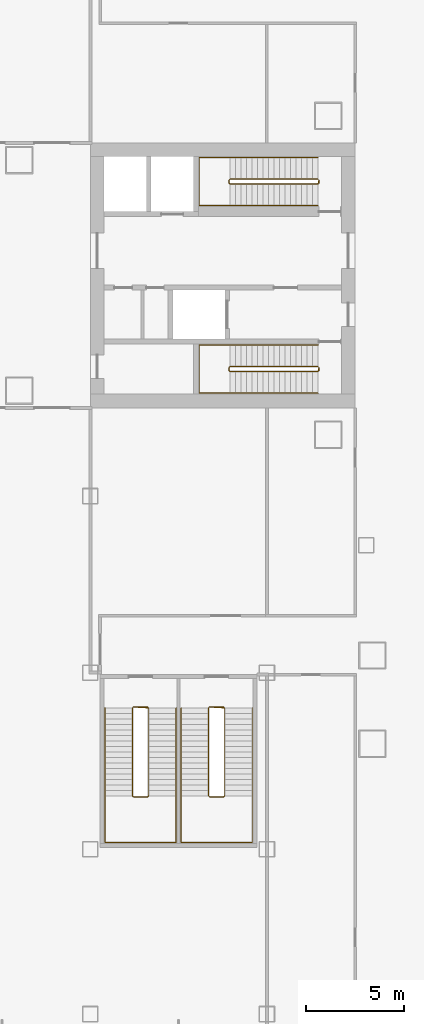
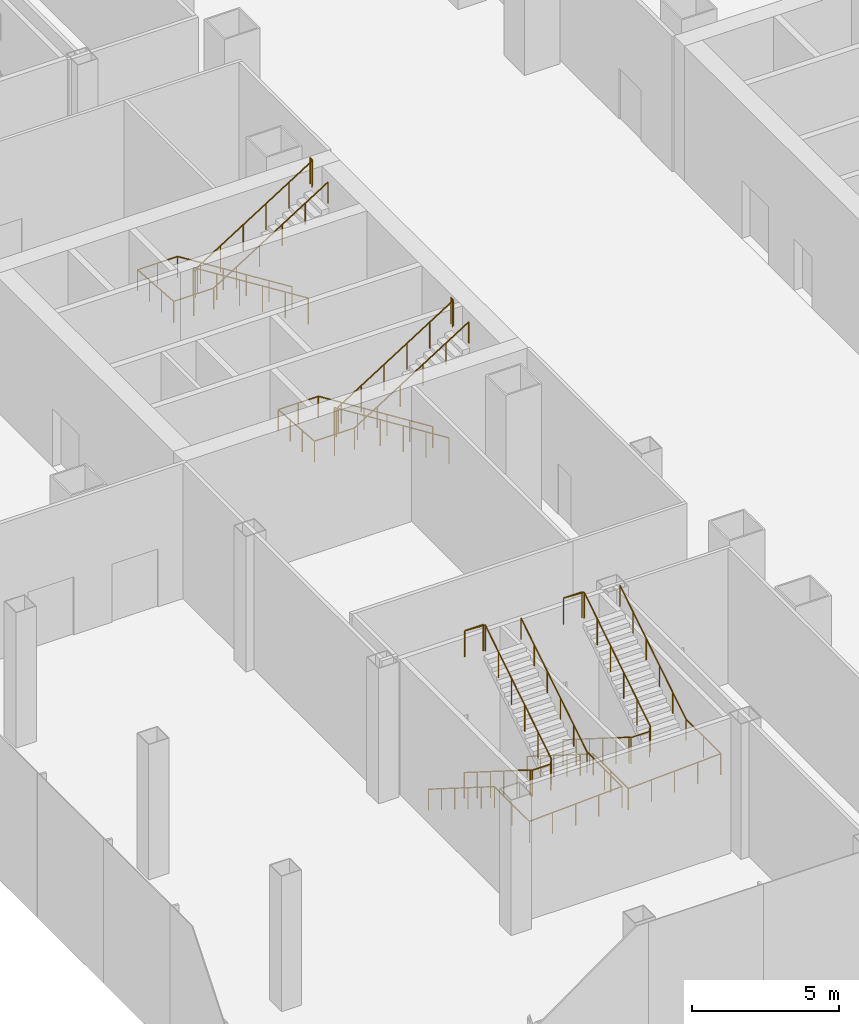
# One storey, part 29 of 33: 8 railings.
"""IFC4 building model written with IfcOpenShell, lengths in metres."""

from ifc_helpers import new_model, si_unit, direction, frame, origin, origin_2d, place, context, subcontext, project, spatial, circle, extrude, material, type_object, element, save


model = new_model("IFC4")

# Units and contexts
model_context = context("Model", 3, precision=1e-05, world=origin(), true_north=direction((0.0, 1.0)))
body_context = subcontext(model_context, "Body", "Model", "MODEL_VIEW")
ifc_project = project(units=[si_unit("LENGTHUNIT", "METRE"), si_unit("AREAUNIT", "SQUARE_METRE"), si_unit("VOLUMEUNIT", "CUBIC_METRE"), si_unit("PLANEANGLEUNIT", "RADIAN"), si_unit("MASSUNIT", "GRAM", prefix="KILO")], contexts=[model_context])

# Site, building, storey
site_placement = place(None, origin())
site = spatial("IfcSite", under=ifc_project, at=site_placement, CompositionType="ELEMENT")
building_placement = place(site_placement, origin())
building = spatial("IfcBuilding", under=site, at=building_placement, Name="Shamsa Quay Exchange Towers", CompositionType="ELEMENT")
storey_placement = place(building_placement, frame((0.0, 0.0, 6.5)))
storey = spatial("IfcBuildingStorey", under=building, at=storey_placement, Name="L01", CompositionType="ELEMENT", Elevation=6.5)

# Railings
ifc_material = material(Name="Stainless steel", Category="steel")
railing_type_1 = type_object("IfcRailingType", Name="STAIR GUARD 1100", PredefinedType="GUARDRAIL", material=ifc_material)
railing_1_placement = place(storey_placement, frame((-42.39990234375, -4.64990234375, 0.176513671875)))
element("IfcRailing", 1, at=railing_1_placement, inside=storey, type_object=railing_type_1, Name="L01 ST2 stair guard 1", PredefinedType="GUARDRAIL", context=body_context, shape_type="SweptSolid", body=[
    extrude(circle(Radius=0.02392578125, at=origin_2d()), frame((0.0, 0.0, 1.076171875), z_axis=(-0.845997938375, 0.0, 0.533186166611), x_axis=(0.0, -1.0, 0.0)), (0.0, 0.0, 1.0), 5.29541015625),
    extrude(circle(Radius=0.02392578125, at=origin_2d()), frame((-4.47998046875, 0.0, 3.8994140625), z_axis=(-0.707106781187, -0.707106781187, 0.0), x_axis=(0.707106781187, -0.707106781187, 0.0)), (0.0, 0.0, 1.0), 0.07080078125),
    extrude(circle(Radius=0.02392578125, at=origin_2d()), frame((-4.530029296875, -0.050048828125, 3.8994140625), z_axis=(0.0, -1.0, 0.0), x_axis=(1.0, 0.0, 0.0)), (0.0, 0.0, 1.0), 0.150146484375),
    extrude(circle(Radius=0.02392578125, at=origin_2d()), frame((-4.530029296875, -0.2001953125, 3.8994140625), z_axis=(0.263260079301, -0.261975883792, 0.928473352853), x_axis=(0.705375805398, 0.708833529934, 0.0)), (0.0, 0.0, 1.0), 0.190185546875),
    extrude(circle(Radius=0.02392578125, at=origin_2d()), frame((-4.47998046875, -0.25, 4.076171875), z_axis=(0.845997938375, 0.0, 0.533186166611), x_axis=(0.0, 1.0, 0.0)), (0.0, 0.0, 1.0), 5.29541015625),
    extrude(circle(Radius=0.02392578125, at=origin_2d()), frame((0.0, -0.25, 6.8994140625), z_axis=(0.241699205484, 0.970351222016, 0.0), x_axis=(-0.970351222016, 0.241699205484, 0.0)), (0.0, 0.0, 1.0), 0.2060546875),
    extrude(circle(Radius=0.02392578125, at=origin_2d()), frame((0.0498046875, -0.050048828125, 6.8994140625), z_axis=(0.0, -1.0, 0.0), x_axis=(1.0, 0.0, 0.0)), (0.0, 0.0, 1.0), 0.150146484375),
    extrude(circle(Radius=0.02099609375, at=origin_2d()), origin(), (0.0, 0.0, 1.0), 1.052001953125),
    extrude(circle(Radius=0.02099609375, at=origin_2d()), frame((-0.89599609375, 0.0, 0.564697265625)), (0.0, 0.0, 1.0), 1.052001953125),
    extrude(circle(Radius=0.02099609375, at=origin_2d()), frame((-1.7919921875, 0.0, 1.12939453125)), (0.0, 0.0, 1.0), 1.052001953125),
    extrude(circle(Radius=0.02099609375, at=origin_2d()), frame((-2.68798828125, 0.0, 1.694091796875)), (0.0, 0.0, 1.0), 1.052001953125),
    extrude(circle(Radius=0.02099609375, at=origin_2d()), frame((-3.583984375, 0.0, 2.2587890625)), (0.0, 0.0, 1.0), 1.052001953125),
    extrude(circle(Radius=0.02099609375, at=origin_2d()), frame((-4.47998046875, 0.0, 2.823486328125)), (0.0, 0.0, 1.0), 1.052001953125),
    extrude(circle(Radius=0.02099609375, at=origin_2d()), frame((-4.530029296875, -0.050048828125, 2.823486328125)), (0.0, 0.0, 1.0), 1.052001953125),
    extrude(circle(Radius=0.02099609375, at=origin_2d()), frame((-4.530029296875, -0.2001953125, 2.823486328125)), (0.0, 0.0, 1.0), 1.052001953125),
    extrude(circle(Radius=0.02099609375, at=origin_2d()), frame((-4.47998046875, -0.25, 3.0)), (0.0, 0.0, 1.0), 1.052001953125),
    extrude(circle(Radius=0.02099609375, at=origin_2d()), frame((-3.583984375, -0.25, 3.564697265625)), (0.0, 0.0, 1.0), 1.052001953125),
    extrude(circle(Radius=0.02099609375, at=origin_2d()), frame((-2.68798828125, -0.25, 4.12939453125)), (0.0, 0.0, 1.0), 1.052001953125),
    extrude(circle(Radius=0.02099609375, at=origin_2d()), frame((-1.7919921875, -0.25, 4.694091796875)), (0.0, 0.0, 1.0), 1.052001953125),
    extrude(circle(Radius=0.02099609375, at=origin_2d()), frame((-0.89599609375, -0.25, 5.2587890625)), (0.0, 0.0, 1.0), 1.052001953125),
    extrude(circle(Radius=0.02099609375, at=origin_2d()), frame((0.0, -0.25, 5.823486328125)), (0.0, 0.0, 1.0), 1.052001953125),
    extrude(circle(Radius=0.02099609375, at=origin_2d()), frame((0.0498046875, -0.050048828125, 5.823486328125)), (0.0, 0.0, 1.0), 1.052001953125),
    extrude(circle(Radius=0.02099609375, at=origin_2d()), frame((0.0498046875, -0.2001953125, 5.823486328125)), (0.0, 0.0, 1.0), 1.052001953125),
])
railing_2_placement = place(storey_placement, frame((-42.39990234375, 4.89990234375, 0.176513671875)))
element("IfcRailing", 2, at=railing_2_placement, inside=storey, type_object=railing_type_1, Name="L01 ST3 stair guard 1", PredefinedType="GUARDRAIL", context=body_context, shape_type="SweptSolid", body=[
    extrude(circle(Radius=0.02392578125, at=origin_2d()), frame((0.0, 0.0, 1.076171875), z_axis=(-0.845997938375, 0.0, 0.533186166611), x_axis=(0.0, -1.0, 0.0)), (0.0, 0.0, 1.0), 5.29541015625),
    extrude(circle(Radius=0.02392578125, at=origin_2d()), frame((-4.47998046875, 0.0, 3.8994140625), z_axis=(-0.708833529934, -0.705375805398, 0.0), x_axis=(0.705375805398, -0.708833529934, 0.0)), (0.0, 0.0, 1.0), 0.070556640625),
    extrude(circle(Radius=0.02392578125, at=origin_2d()), frame((-4.530029296875, -0.0498046875, 3.8994140625), z_axis=(0.0, -1.0, 0.0), x_axis=(1.0, 0.0, 0.0)), (0.0, 0.0, 1.0), 0.150146484375),
    extrude(circle(Radius=0.02392578125, at=origin_2d()), frame((-4.530029296875, -0.199951171875, 3.8994140625), z_axis=(0.263171338983, -0.263171338983, 0.928160380902), x_axis=(0.707106781187, 0.707106781187, 0.0)), (0.0, 0.0, 1.0), 0.190185546875),
    extrude(circle(Radius=0.02392578125, at=origin_2d()), frame((-4.47998046875, -0.25, 4.076171875), z_axis=(0.845997938375, 0.0, 0.533186166611), x_axis=(0.0, 1.0, 0.0)), (0.0, 0.0, 1.0), 5.29541015625),
    extrude(circle(Radius=0.02392578125, at=origin_2d()), frame((0.0, -0.25, 6.8994140625), z_axis=(0.24142163986, 0.970420317083, 0.0), x_axis=(-0.970420317083, 0.24142163986, 0.0)), (0.0, 0.0, 1.0), 0.206298828125),
    extrude(circle(Radius=0.02392578125, at=origin_2d()), frame((0.0498046875, -0.0498046875, 6.8994140625), z_axis=(0.0, -1.0, 0.0), x_axis=(1.0, 0.0, 0.0)), (0.0, 0.0, 1.0), 0.150146484375),
    extrude(circle(Radius=0.02099609375, at=origin_2d()), origin(), (0.0, 0.0, 1.0), 1.052001953125),
    extrude(circle(Radius=0.02099609375, at=origin_2d()), frame((-0.89599609375, 0.0, 0.564697265625)), (0.0, 0.0, 1.0), 1.052001953125),
    extrude(circle(Radius=0.02099609375, at=origin_2d()), frame((-1.7919921875, 0.0, 1.12939453125)), (0.0, 0.0, 1.0), 1.052001953125),
    extrude(circle(Radius=0.02099609375, at=origin_2d()), frame((-2.68798828125, 0.0, 1.694091796875)), (0.0, 0.0, 1.0), 1.052001953125),
    extrude(circle(Radius=0.02099609375, at=origin_2d()), frame((-3.583984375, 0.0, 2.2587890625)), (0.0, 0.0, 1.0), 1.052001953125),
    extrude(circle(Radius=0.02099609375, at=origin_2d()), frame((-4.47998046875, 0.0, 2.823486328125)), (0.0, 0.0, 1.0), 1.052001953125),
    extrude(circle(Radius=0.02099609375, at=origin_2d()), frame((-4.530029296875, -0.0498046875, 2.823486328125)), (0.0, 0.0, 1.0), 1.052001953125),
    extrude(circle(Radius=0.02099609375, at=origin_2d()), frame((-4.530029296875, -0.199951171875, 2.823486328125)), (0.0, 0.0, 1.0), 1.052001953125),
    extrude(circle(Radius=0.02099609375, at=origin_2d()), frame((-4.47998046875, -0.25, 3.0)), (0.0, 0.0, 1.0), 1.052001953125),
    extrude(circle(Radius=0.02099609375, at=origin_2d()), frame((-3.583984375, -0.25, 3.564697265625)), (0.0, 0.0, 1.0), 1.052001953125),
    extrude(circle(Radius=0.02099609375, at=origin_2d()), frame((-2.68798828125, -0.25, 4.12939453125)), (0.0, 0.0, 1.0), 1.052001953125),
    extrude(circle(Radius=0.02099609375, at=origin_2d()), frame((-1.7919921875, -0.25, 4.694091796875)), (0.0, 0.0, 1.0), 1.052001953125),
    extrude(circle(Radius=0.02099609375, at=origin_2d()), frame((-0.89599609375, -0.25, 5.2587890625)), (0.0, 0.0, 1.0), 1.052001953125),
    extrude(circle(Radius=0.02099609375, at=origin_2d()), frame((0.0, -0.25, 5.823486328125)), (0.0, 0.0, 1.0), 1.052001953125),
    extrude(circle(Radius=0.02099609375, at=origin_2d()), frame((0.0498046875, -0.0498046875, 5.823486328125)), (0.0, 0.0, 1.0), 1.052001953125),
    extrude(circle(Radius=0.02099609375, at=origin_2d()), frame((0.0498046875, -0.199951171875, 5.823486328125)), (0.0, 0.0, 1.0), 1.052001953125),
])
railing_3_placement = place(storey_placement, frame((-51.85009765625, -22.050048828125, 0.176513671875)))
element("IfcRailing", 3, at=railing_3_placement, inside=storey, type_object=railing_type_1, Name="L01 PS5A stair guard 1", PredefinedType="GUARDRAIL", context=body_context, shape_type="SweptSolid", body=[
    extrude(circle(Radius=0.02392578125, at=origin_2d()), frame((0.0, 0.0, 1.076171875), z_axis=(0.0, -0.845997938375, 0.533186166611), x_axis=(1.0, 0.0, 0.0)), (0.0, 0.0, 1.0), 5.29541015625),
    extrude(circle(Radius=0.02392578125, at=origin_2d()), frame((0.0, -4.47998046875, 3.8994140625), z_axis=(0.707106781187, -0.707106781187, 0.0), x_axis=(0.707106781187, 0.707106781187, 0.0)), (0.0, 0.0, 1.0), 0.07080078125),
    extrude(circle(Radius=0.02392578125, at=origin_2d()), frame((0.050048828125, -4.530029296875, 3.8994140625), z_axis=(1.0, 0.0, 0.0), x_axis=(0.0, 1.0, 0.0)), (0.0, 0.0, 1.0), 0.72509765625),
    extrude(circle(Radius=0.02392578125, at=origin_2d()), frame((0.775146484375, -4.530029296875, 3.8994140625), z_axis=(0.263171338983, 0.263171338983, 0.928160380902), x_axis=(-0.707106781187, 0.707106781187, 0.0)), (0.0, 0.0, 1.0), 0.190185546875),
    extrude(circle(Radius=0.02392578125, at=origin_2d()), frame((0.8251953125, -4.47998046875, 4.076171875), z_axis=(0.0, 0.845997938375, 0.533186166611), x_axis=(-1.0, 0.0, 0.0)), (0.0, 0.0, 1.0), 5.29541015625),
    extrude(circle(Radius=0.02392578125, at=origin_2d()), frame((0.8251953125, 0.0, 6.8994140625), z_axis=(-0.997922050633, 0.064432762324, 0.0), x_axis=(-0.064432762324, -0.997922050633, 0.0)), (0.0, 0.0, 1.0), 0.77685546875),
    extrude(circle(Radius=0.02392578125, at=origin_2d()), frame((0.050048828125, 0.050048828125, 6.8994140625), z_axis=(1.0, 0.0, 0.0), x_axis=(0.0, 1.0, 0.0)), (0.0, 0.0, 1.0), 0.72509765625),
    extrude(circle(Radius=0.02099609375, at=origin_2d()), origin(), (0.0, 0.0, 1.0), 1.052001953125),
    extrude(circle(Radius=0.02099609375, at=origin_2d()), frame((0.0, -0.89599609375, 0.564697265625)), (0.0, 0.0, 1.0), 1.052001953125),
    extrude(circle(Radius=0.02099609375, at=origin_2d()), frame((0.0, -1.7919921875, 1.12939453125)), (0.0, 0.0, 1.0), 1.052001953125),
    extrude(circle(Radius=0.02099609375, at=origin_2d()), frame((0.0, -2.68798828125, 1.694091796875)), (0.0, 0.0, 1.0), 1.052001953125),
    extrude(circle(Radius=0.02099609375, at=origin_2d()), frame((0.0, -3.583984375, 2.2587890625)), (0.0, 0.0, 1.0), 1.052001953125),
    extrude(circle(Radius=0.02099609375, at=origin_2d()), frame((0.0, -4.47998046875, 2.823486328125)), (0.0, 0.0, 1.0), 1.052001953125),
    extrude(circle(Radius=0.02099609375, at=origin_2d()), frame((0.050048828125, -4.530029296875, 2.823486328125)), (0.0, 0.0, 1.0), 1.052001953125),
    extrude(circle(Radius=0.02099609375, at=origin_2d()), frame((0.775146484375, -4.530029296875, 2.823486328125)), (0.0, 0.0, 1.0), 1.052001953125),
    extrude(circle(Radius=0.02099609375, at=origin_2d()), frame((0.8251953125, -4.47998046875, 3.0)), (0.0, 0.0, 1.0), 1.052001953125),
    extrude(circle(Radius=0.02099609375, at=origin_2d()), frame((0.8251953125, -3.583984375, 3.564697265625)), (0.0, 0.0, 1.0), 1.052001953125),
    extrude(circle(Radius=0.02099609375, at=origin_2d()), frame((0.8251953125, -2.68798828125, 4.12939453125)), (0.0, 0.0, 1.0), 1.052001953125),
    extrude(circle(Radius=0.02099609375, at=origin_2d()), frame((0.8251953125, -1.7919921875, 4.694091796875)), (0.0, 0.0, 1.0), 1.052001953125),
    extrude(circle(Radius=0.02099609375, at=origin_2d()), frame((0.8251953125, -0.89599609375, 5.2587890625)), (0.0, 0.0, 1.0), 1.052001953125),
    extrude(circle(Radius=0.02099609375, at=origin_2d()), frame((0.8251953125, 0.0, 5.823486328125)), (0.0, 0.0, 1.0), 1.052001953125),
    extrude(circle(Radius=0.02099609375, at=origin_2d()), frame((0.050048828125, 0.050048828125, 5.823486328125)), (0.0, 0.0, 1.0), 1.052001953125),
    extrude(circle(Radius=0.02099609375, at=origin_2d()), frame((0.775146484375, 0.050048828125, 5.823486328125)), (0.0, 0.0, 1.0), 1.052001953125),
])
railing_4_placement = place(storey_placement, frame((-47.97509765625, -22.050048828125, 0.176513671875)))
element("IfcRailing", 4, at=railing_4_placement, inside=storey, type_object=railing_type_1, Name="L01 PS5B stair guard 1", PredefinedType="GUARDRAIL", context=body_context, shape_type="SweptSolid", body=[
    extrude(circle(Radius=0.02392578125, at=origin_2d()), frame((0.0, 0.0, 1.076171875), z_axis=(0.0, -0.845997938375, 0.533186166611), x_axis=(1.0, 0.0, 0.0)), (0.0, 0.0, 1.0), 5.29541015625),
    extrude(circle(Radius=0.02392578125, at=origin_2d()), frame((0.0, -4.47998046875, 3.8994140625), z_axis=(0.707106781187, -0.707106781187, 0.0), x_axis=(0.707106781187, 0.707106781187, 0.0)), (0.0, 0.0, 1.0), 0.07080078125),
    extrude(circle(Radius=0.02392578125, at=origin_2d()), frame((0.050048828125, -4.530029296875, 3.8994140625), z_axis=(1.0, 0.0, 0.0), x_axis=(0.0, 1.0, 0.0)), (0.0, 0.0, 1.0), 0.72509765625),
    extrude(circle(Radius=0.02392578125, at=origin_2d()), frame((0.775146484375, -4.530029296875, 3.8994140625), z_axis=(0.263171338983, 0.263171338983, 0.928160380902), x_axis=(-0.707106781187, 0.707106781187, 0.0)), (0.0, 0.0, 1.0), 0.190185546875),
    extrude(circle(Radius=0.02392578125, at=origin_2d()), frame((0.8251953125, -4.47998046875, 4.076171875), z_axis=(0.0, 0.845997938375, 0.533186166611), x_axis=(-1.0, 0.0, 0.0)), (0.0, 0.0, 1.0), 5.29541015625),
    extrude(circle(Radius=0.02392578125, at=origin_2d()), frame((0.8251953125, 0.0, 6.8994140625), z_axis=(-0.997922050633, 0.064432762324, 0.0), x_axis=(-0.064432762324, -0.997922050633, 0.0)), (0.0, 0.0, 1.0), 0.77685546875),
    extrude(circle(Radius=0.02392578125, at=origin_2d()), frame((0.050048828125, 0.050048828125, 6.8994140625), z_axis=(1.0, 0.0, 0.0), x_axis=(0.0, 1.0, 0.0)), (0.0, 0.0, 1.0), 0.72509765625),
    extrude(circle(Radius=0.02099609375, at=origin_2d()), origin(), (0.0, 0.0, 1.0), 1.052001953125),
    extrude(circle(Radius=0.02099609375, at=origin_2d()), frame((0.0, -0.89599609375, 0.564697265625)), (0.0, 0.0, 1.0), 1.052001953125),
    extrude(circle(Radius=0.02099609375, at=origin_2d()), frame((0.0, -1.7919921875, 1.12939453125)), (0.0, 0.0, 1.0), 1.052001953125),
    extrude(circle(Radius=0.02099609375, at=origin_2d()), frame((0.0, -2.68798828125, 1.694091796875)), (0.0, 0.0, 1.0), 1.052001953125),
    extrude(circle(Radius=0.02099609375, at=origin_2d()), frame((0.0, -3.583984375, 2.2587890625)), (0.0, 0.0, 1.0), 1.052001953125),
    extrude(circle(Radius=0.02099609375, at=origin_2d()), frame((0.0, -4.47998046875, 2.823486328125)), (0.0, 0.0, 1.0), 1.052001953125),
    extrude(circle(Radius=0.02099609375, at=origin_2d()), frame((0.050048828125, -4.530029296875, 2.823486328125)), (0.0, 0.0, 1.0), 1.052001953125),
    extrude(circle(Radius=0.02099609375, at=origin_2d()), frame((0.775146484375, -4.530029296875, 2.823486328125)), (0.0, 0.0, 1.0), 1.052001953125),
    extrude(circle(Radius=0.02099609375, at=origin_2d()), frame((0.8251953125, -4.47998046875, 3.0)), (0.0, 0.0, 1.0), 1.052001953125),
    extrude(circle(Radius=0.02099609375, at=origin_2d()), frame((0.8251953125, -3.583984375, 3.564697265625)), (0.0, 0.0, 1.0), 1.052001953125),
    extrude(circle(Radius=0.02099609375, at=origin_2d()), frame((0.8251953125, -2.68798828125, 4.12939453125)), (0.0, 0.0, 1.0), 1.052001953125),
    extrude(circle(Radius=0.02099609375, at=origin_2d()), frame((0.8251953125, -1.7919921875, 4.694091796875)), (0.0, 0.0, 1.0), 1.052001953125),
    extrude(circle(Radius=0.02099609375, at=origin_2d()), frame((0.8251953125, -0.89599609375, 5.2587890625)), (0.0, 0.0, 1.0), 1.052001953125),
    extrude(circle(Radius=0.02099609375, at=origin_2d()), frame((0.8251953125, 0.0, 5.823486328125)), (0.0, 0.0, 1.0), 1.052001953125),
    extrude(circle(Radius=0.02099609375, at=origin_2d()), frame((0.050048828125, 0.050048828125, 5.823486328125)), (0.0, 0.0, 1.0), 1.052001953125),
    extrude(circle(Radius=0.02099609375, at=origin_2d()), frame((0.775146484375, 0.050048828125, 5.823486328125)), (0.0, 0.0, 1.0), 1.052001953125),
])
railing_type_2 = type_object("IfcRailingType", Name="STAIR HANDRAIL 900", PredefinedType="HANDRAIL", material=ifc_material)
railing_5_placement = place(storey_placement, frame((-42.39990234375, -3.550048828125, 0.176513671875)))
element("IfcRailing", 5, at=railing_5_placement, inside=storey, type_object=railing_type_2, Name="L01 ST2 stair handrail 1", PredefinedType="HANDRAIL", context=body_context, shape_type="SweptSolid", body=[
    extrude(circle(Radius=0.02392578125, at=origin_2d()), frame((0.0, 0.0, 0.8759765625), z_axis=(-0.845997938375, 0.0, 0.533186166611), x_axis=(0.0, -1.0, 0.0)), (0.0, 0.0, 1.0), 5.29541015625),
    extrude(circle(Radius=0.02392578125, at=origin_2d()), frame((-4.47998046875, 0.0, 3.69921875), z_axis=(-1.0, 0.0, 0.0), x_axis=(0.0, -1.0, 0.0)), (0.0, 0.0, 1.0), 1.570068359375),
    extrude(circle(Radius=0.02392578125, at=origin_2d()), frame((-6.050048828125, 0.0, 3.69921875), z_axis=(0.0, -0.997414615901, 0.071861561265), x_axis=(1.0, 0.0, 0.0)), (0.0, 0.0, 1.0), 2.456298828125),
    extrude(circle(Radius=0.02392578125, at=origin_2d()), frame((-6.050048828125, -2.449951171875, 3.8759765625), z_axis=(1.0, 0.0, 0.0), x_axis=(0.0, 1.0, 0.0)), (0.0, 0.0, 1.0), 1.570068359375),
    extrude(circle(Radius=0.02392578125, at=origin_2d()), frame((-4.47998046875, -2.449951171875, 3.8759765625), z_axis=(0.845997938375, 0.0, 0.533186166611), x_axis=(0.0, 1.0, 0.0)), (0.0, 0.0, 1.0), 5.29541015625),
    extrude(circle(Radius=0.02099609375, at=origin_2d()), origin(), (0.0, 0.0, 1.0), 0.851806640625),
    extrude(circle(Radius=0.02099609375, at=origin_2d()), frame((-0.89599609375, 0.0, 0.564697265625)), (0.0, 0.0, 1.0), 0.851806640625),
    extrude(circle(Radius=0.02099609375, at=origin_2d()), frame((-1.7919921875, 0.0, 1.12939453125)), (0.0, 0.0, 1.0), 0.851806640625),
    extrude(circle(Radius=0.02099609375, at=origin_2d()), frame((-2.68798828125, 0.0, 1.694091796875)), (0.0, 0.0, 1.0), 0.851806640625),
    extrude(circle(Radius=0.02099609375, at=origin_2d()), frame((-3.583984375, 0.0, 2.2587890625)), (0.0, 0.0, 1.0), 0.851806640625),
    extrude(circle(Radius=0.02099609375, at=origin_2d()), frame((-4.47998046875, 0.0, 2.823486328125)), (0.0, 0.0, 1.0), 0.851806640625),
    extrude(circle(Radius=0.02099609375, at=origin_2d()), frame((-5.26513671875, 0.0, 2.823486328125)), (0.0, 0.0, 1.0), 0.851806640625),
    extrude(circle(Radius=0.02099609375, at=origin_2d()), frame((-6.050048828125, 0.0, 2.823486328125)), (0.0, 0.0, 1.0), 0.851806640625),
    extrude(circle(Radius=0.02099609375, at=origin_2d()), frame((-6.050048828125, -0.816650390625, 2.88232421875)), (0.0, 0.0, 1.0), 0.851806640625),
    extrude(circle(Radius=0.02099609375, at=origin_2d()), frame((-6.050048828125, -1.63330078125, 2.941162109375)), (0.0, 0.0, 1.0), 0.851806640625),
    extrude(circle(Radius=0.02099609375, at=origin_2d()), frame((-6.050048828125, -2.449951171875, 3.0)), (0.0, 0.0, 1.0), 0.851806640625),
    extrude(circle(Radius=0.02099609375, at=origin_2d()), frame((-5.26513671875, -2.449951171875, 3.0)), (0.0, 0.0, 1.0), 0.851806640625),
    extrude(circle(Radius=0.02099609375, at=origin_2d()), frame((-4.47998046875, -2.449951171875, 3.0)), (0.0, 0.0, 1.0), 0.851806640625),
    extrude(circle(Radius=0.02099609375, at=origin_2d()), frame((-3.583984375, -2.449951171875, 3.564697265625)), (0.0, 0.0, 1.0), 0.851806640625),
    extrude(circle(Radius=0.02099609375, at=origin_2d()), frame((-2.68798828125, -2.449951171875, 4.12939453125)), (0.0, 0.0, 1.0), 0.851806640625),
    extrude(circle(Radius=0.02099609375, at=origin_2d()), frame((-1.7919921875, -2.449951171875, 4.694091796875)), (0.0, 0.0, 1.0), 0.851806640625),
    extrude(circle(Radius=0.02099609375, at=origin_2d()), frame((-0.89599609375, -2.449951171875, 5.2587890625)), (0.0, 0.0, 1.0), 0.851806640625),
    extrude(circle(Radius=0.02099609375, at=origin_2d()), frame((0.0, -2.449951171875, 5.823486328125)), (0.0, 0.0, 1.0), 0.851806640625),
])
railing_6_placement = place(storey_placement, frame((-42.39990234375, 6.0, 0.176513671875)))
element("IfcRailing", 6, at=railing_6_placement, inside=storey, type_object=railing_type_2, Name="L01 ST3 stair handrail 1", PredefinedType="HANDRAIL", context=body_context, shape_type="SweptSolid", body=[
    extrude(circle(Radius=0.02392578125, at=origin_2d()), frame((0.0, 0.0, 0.8759765625), z_axis=(-0.845997938375, 0.0, 0.533186166611), x_axis=(0.0, -1.0, 0.0)), (0.0, 0.0, 1.0), 5.29541015625),
    extrude(circle(Radius=0.02392578125, at=origin_2d()), frame((-4.47998046875, 0.0, 3.69921875), z_axis=(-1.0, 0.0, 0.0), x_axis=(0.0, -1.0, 0.0)), (0.0, 0.0, 1.0), 1.570068359375),
    extrude(circle(Radius=0.02392578125, at=origin_2d()), frame((-6.050048828125, 0.0, 3.69921875), z_axis=(0.0, -0.997414615901, 0.071861561265), x_axis=(1.0, 0.0, 0.0)), (0.0, 0.0, 1.0), 2.456298828125),
    extrude(circle(Radius=0.02392578125, at=origin_2d()), frame((-6.050048828125, -2.449951171875, 3.8759765625), z_axis=(1.0, 0.0, 0.0), x_axis=(0.0, 1.0, 0.0)), (0.0, 0.0, 1.0), 1.570068359375),
    extrude(circle(Radius=0.02392578125, at=origin_2d()), frame((-4.47998046875, -2.449951171875, 3.8759765625), z_axis=(0.845997938375, 0.0, 0.533186166611), x_axis=(0.0, 1.0, 0.0)), (0.0, 0.0, 1.0), 5.29541015625),
    extrude(circle(Radius=0.02099609375, at=origin_2d()), origin(), (0.0, 0.0, 1.0), 0.851806640625),
    extrude(circle(Radius=0.02099609375, at=origin_2d()), frame((-0.89599609375, 0.0, 0.564697265625)), (0.0, 0.0, 1.0), 0.851806640625),
    extrude(circle(Radius=0.02099609375, at=origin_2d()), frame((-1.7919921875, 0.0, 1.12939453125)), (0.0, 0.0, 1.0), 0.851806640625),
    extrude(circle(Radius=0.02099609375, at=origin_2d()), frame((-2.68798828125, 0.0, 1.694091796875)), (0.0, 0.0, 1.0), 0.851806640625),
    extrude(circle(Radius=0.02099609375, at=origin_2d()), frame((-3.583984375, 0.0, 2.2587890625)), (0.0, 0.0, 1.0), 0.851806640625),
    extrude(circle(Radius=0.02099609375, at=origin_2d()), frame((-4.47998046875, 0.0, 2.823486328125)), (0.0, 0.0, 1.0), 0.851806640625),
    extrude(circle(Radius=0.02099609375, at=origin_2d()), frame((-5.26513671875, 0.0, 2.823486328125)), (0.0, 0.0, 1.0), 0.851806640625),
    extrude(circle(Radius=0.02099609375, at=origin_2d()), frame((-6.050048828125, 0.0, 2.823486328125)), (0.0, 0.0, 1.0), 0.851806640625),
    extrude(circle(Radius=0.02099609375, at=origin_2d()), frame((-6.050048828125, -0.816650390625, 2.88232421875)), (0.0, 0.0, 1.0), 0.851806640625),
    extrude(circle(Radius=0.02099609375, at=origin_2d()), frame((-6.050048828125, -1.63330078125, 2.941162109375)), (0.0, 0.0, 1.0), 0.851806640625),
    extrude(circle(Radius=0.02099609375, at=origin_2d()), frame((-6.050048828125, -2.449951171875, 3.0)), (0.0, 0.0, 1.0), 0.851806640625),
    extrude(circle(Radius=0.02099609375, at=origin_2d()), frame((-5.26513671875, -2.449951171875, 3.0)), (0.0, 0.0, 1.0), 0.851806640625),
    extrude(circle(Radius=0.02099609375, at=origin_2d()), frame((-4.47998046875, -2.449951171875, 3.0)), (0.0, 0.0, 1.0), 0.851806640625),
    extrude(circle(Radius=0.02099609375, at=origin_2d()), frame((-3.583984375, -2.449951171875, 3.564697265625)), (0.0, 0.0, 1.0), 0.851806640625),
    extrude(circle(Radius=0.02099609375, at=origin_2d()), frame((-2.68798828125, -2.449951171875, 4.12939453125)), (0.0, 0.0, 1.0), 0.851806640625),
    extrude(circle(Radius=0.02099609375, at=origin_2d()), frame((-1.7919921875, -2.449951171875, 4.694091796875)), (0.0, 0.0, 1.0), 0.851806640625),
    extrude(circle(Radius=0.02099609375, at=origin_2d()), frame((-0.89599609375, -2.449951171875, 5.2587890625)), (0.0, 0.0, 1.0), 0.851806640625),
    extrude(circle(Radius=0.02099609375, at=origin_2d()), frame((0.0, -2.449951171875, 5.823486328125)), (0.0, 0.0, 1.0), 0.851806640625),
])
railing_7_placement = place(storey_placement, frame((-53.25, -22.050048828125, 0.176513671875)))
element("IfcRailing", 7, at=railing_7_placement, inside=storey, type_object=railing_type_2, Name="L01 PS5A stair handrail 1", PredefinedType="HANDRAIL", context=body_context, shape_type="SweptSolid", body=[
    extrude(circle(Radius=0.02392578125, at=origin_2d()), frame((0.0, 0.0, 0.8759765625), z_axis=(0.0, -0.845997938375, 0.533186166611), x_axis=(1.0, 0.0, 0.0)), (0.0, 0.0, 1.0), 5.29541015625),
    extrude(circle(Radius=0.02392578125, at=origin_2d()), frame((0.0, -4.47998046875, 3.69921875), z_axis=(0.0, -1.0, 0.0), x_axis=(1.0, 0.0, 0.0)), (0.0, 0.0, 1.0), 2.369873046875),
    extrude(circle(Radius=0.02392578125, at=origin_2d()), frame((0.0, -6.849853515625, 3.69921875), z_axis=(0.998816579144, 0.0, 0.048635801907), x_axis=(0.0, 1.0, 0.0)), (0.0, 0.0, 1.0), 3.62939453125),
    extrude(circle(Radius=0.02392578125, at=origin_2d()), frame((3.625, -6.849853515625, 3.8759765625), z_axis=(0.0, 1.0, 0.0), x_axis=(-1.0, 0.0, 0.0)), (0.0, 0.0, 1.0), 2.369873046875),
    extrude(circle(Radius=0.02392578125, at=origin_2d()), frame((3.625, -4.47998046875, 3.8759765625), z_axis=(0.0, 0.845997938375, 0.533186166611), x_axis=(-1.0, 0.0, 0.0)), (0.0, 0.0, 1.0), 5.29541015625),
    extrude(circle(Radius=0.02099609375, at=origin_2d()), origin(), (0.0, 0.0, 1.0), 0.851806640625),
    extrude(circle(Radius=0.02099609375, at=origin_2d()), frame((0.0, -0.89599609375, 0.564697265625)), (0.0, 0.0, 1.0), 0.851806640625),
    extrude(circle(Radius=0.02099609375, at=origin_2d()), frame((0.0, -1.7919921875, 1.12939453125)), (0.0, 0.0, 1.0), 0.851806640625),
    extrude(circle(Radius=0.02099609375, at=origin_2d()), frame((0.0, -2.68798828125, 1.694091796875)), (0.0, 0.0, 1.0), 0.851806640625),
    extrude(circle(Radius=0.02099609375, at=origin_2d()), frame((0.0, -3.583984375, 2.2587890625)), (0.0, 0.0, 1.0), 0.851806640625),
    extrude(circle(Radius=0.02099609375, at=origin_2d()), frame((0.0, -4.47998046875, 2.823486328125)), (0.0, 0.0, 1.0), 0.851806640625),
    extrude(circle(Radius=0.02099609375, at=origin_2d()), frame((0.0, -5.6650390625, 2.823486328125)), (0.0, 0.0, 1.0), 0.851806640625),
    extrude(circle(Radius=0.02099609375, at=origin_2d()), frame((0.0, -6.849853515625, 2.823486328125)), (0.0, 0.0, 1.0), 0.851806640625),
    extrude(circle(Radius=0.02099609375, at=origin_2d()), frame((0.90625, -6.849853515625, 2.86767578125)), (0.0, 0.0, 1.0), 0.851806640625),
    extrude(circle(Radius=0.02099609375, at=origin_2d()), frame((1.8125, -6.849853515625, 2.91162109375)), (0.0, 0.0, 1.0), 0.851806640625),
    extrude(circle(Radius=0.02099609375, at=origin_2d()), frame((2.71875, -6.849853515625, 2.955810546875)), (0.0, 0.0, 1.0), 0.851806640625),
    extrude(circle(Radius=0.02099609375, at=origin_2d()), frame((3.625, -6.849853515625, 3.0)), (0.0, 0.0, 1.0), 0.851806640625),
    extrude(circle(Radius=0.02099609375, at=origin_2d()), frame((3.625, -5.6650390625, 3.0)), (0.0, 0.0, 1.0), 0.851806640625),
    extrude(circle(Radius=0.02099609375, at=origin_2d()), frame((3.625, -4.47998046875, 3.0)), (0.0, 0.0, 1.0), 0.851806640625),
    extrude(circle(Radius=0.02099609375, at=origin_2d()), frame((3.625, -3.583984375, 3.564697265625)), (0.0, 0.0, 1.0), 0.851806640625),
    extrude(circle(Radius=0.02099609375, at=origin_2d()), frame((3.625, -2.68798828125, 4.12939453125)), (0.0, 0.0, 1.0), 0.851806640625),
    extrude(circle(Radius=0.02099609375, at=origin_2d()), frame((3.625, -1.7919921875, 4.694091796875)), (0.0, 0.0, 1.0), 0.851806640625),
    extrude(circle(Radius=0.02099609375, at=origin_2d()), frame((3.625, -0.89599609375, 5.2587890625)), (0.0, 0.0, 1.0), 0.851806640625),
    extrude(circle(Radius=0.02099609375, at=origin_2d()), frame((3.625, 0.0, 5.823486328125)), (0.0, 0.0, 1.0), 0.851806640625),
])
railing_8_placement = place(storey_placement, frame((-49.375, -22.050048828125, 0.176513671875)))
element("IfcRailing", 8, at=railing_8_placement, inside=storey, type_object=railing_type_2, Name="L01 PS5B stair handrail 1", PredefinedType="HANDRAIL", context=body_context, shape_type="SweptSolid", body=[
    extrude(circle(Radius=0.02392578125, at=origin_2d()), frame((0.0, 0.0, 0.8759765625), z_axis=(0.0, -0.845997938375, 0.533186166611), x_axis=(1.0, 0.0, 0.0)), (0.0, 0.0, 1.0), 5.29541015625),
    extrude(circle(Radius=0.02392578125, at=origin_2d()), frame((0.0, -4.47998046875, 3.69921875), z_axis=(0.0, -1.0, 0.0), x_axis=(1.0, 0.0, 0.0)), (0.0, 0.0, 1.0), 2.369873046875),
    extrude(circle(Radius=0.02392578125, at=origin_2d()), frame((0.0, -6.849853515625, 3.69921875), z_axis=(0.998816579144, 0.0, 0.048635801907), x_axis=(0.0, 1.0, 0.0)), (0.0, 0.0, 1.0), 3.62939453125),
    extrude(circle(Radius=0.02392578125, at=origin_2d()), frame((3.625, -6.849853515625, 3.8759765625), z_axis=(0.0, 1.0, 0.0), x_axis=(-1.0, 0.0, 0.0)), (0.0, 0.0, 1.0), 2.369873046875),
    extrude(circle(Radius=0.02392578125, at=origin_2d()), frame((3.625, -4.47998046875, 3.8759765625), z_axis=(0.0, 0.845997938375, 0.533186166611), x_axis=(-1.0, 0.0, 0.0)), (0.0, 0.0, 1.0), 5.29541015625),
    extrude(circle(Radius=0.02099609375, at=origin_2d()), origin(), (0.0, 0.0, 1.0), 0.851806640625),
    extrude(circle(Radius=0.02099609375, at=origin_2d()), frame((0.0, -0.89599609375, 0.564697265625)), (0.0, 0.0, 1.0), 0.851806640625),
    extrude(circle(Radius=0.02099609375, at=origin_2d()), frame((0.0, -1.7919921875, 1.12939453125)), (0.0, 0.0, 1.0), 0.851806640625),
    extrude(circle(Radius=0.02099609375, at=origin_2d()), frame((0.0, -2.68798828125, 1.694091796875)), (0.0, 0.0, 1.0), 0.851806640625),
    extrude(circle(Radius=0.02099609375, at=origin_2d()), frame((0.0, -3.583984375, 2.2587890625)), (0.0, 0.0, 1.0), 0.851806640625),
    extrude(circle(Radius=0.02099609375, at=origin_2d()), frame((0.0, -4.47998046875, 2.823486328125)), (0.0, 0.0, 1.0), 0.851806640625),
    extrude(circle(Radius=0.02099609375, at=origin_2d()), frame((0.0, -5.6650390625, 2.823486328125)), (0.0, 0.0, 1.0), 0.851806640625),
    extrude(circle(Radius=0.02099609375, at=origin_2d()), frame((0.0, -6.849853515625, 2.823486328125)), (0.0, 0.0, 1.0), 0.851806640625),
    extrude(circle(Radius=0.02099609375, at=origin_2d()), frame((0.90625, -6.849853515625, 2.86767578125)), (0.0, 0.0, 1.0), 0.851806640625),
    extrude(circle(Radius=0.02099609375, at=origin_2d()), frame((1.8125, -6.849853515625, 2.91162109375)), (0.0, 0.0, 1.0), 0.851806640625),
    extrude(circle(Radius=0.02099609375, at=origin_2d()), frame((2.71875, -6.849853515625, 2.955810546875)), (0.0, 0.0, 1.0), 0.851806640625),
    extrude(circle(Radius=0.02099609375, at=origin_2d()), frame((3.625, -6.849853515625, 3.0)), (0.0, 0.0, 1.0), 0.851806640625),
    extrude(circle(Radius=0.02099609375, at=origin_2d()), frame((3.625, -5.6650390625, 3.0)), (0.0, 0.0, 1.0), 0.851806640625),
    extrude(circle(Radius=0.02099609375, at=origin_2d()), frame((3.625, -4.47998046875, 3.0)), (0.0, 0.0, 1.0), 0.851806640625),
    extrude(circle(Radius=0.02099609375, at=origin_2d()), frame((3.625, -3.583984375, 3.564697265625)), (0.0, 0.0, 1.0), 0.851806640625),
    extrude(circle(Radius=0.02099609375, at=origin_2d()), frame((3.625, -2.68798828125, 4.12939453125)), (0.0, 0.0, 1.0), 0.851806640625),
    extrude(circle(Radius=0.02099609375, at=origin_2d()), frame((3.625, -1.7919921875, 4.694091796875)), (0.0, 0.0, 1.0), 0.851806640625),
    extrude(circle(Radius=0.02099609375, at=origin_2d()), frame((3.625, -0.89599609375, 5.2587890625)), (0.0, 0.0, 1.0), 0.851806640625),
    extrude(circle(Radius=0.02099609375, at=origin_2d()), frame((3.625, 0.0, 5.823486328125)), (0.0, 0.0, 1.0), 0.851806640625),
])

save(model, "model.ifc")
